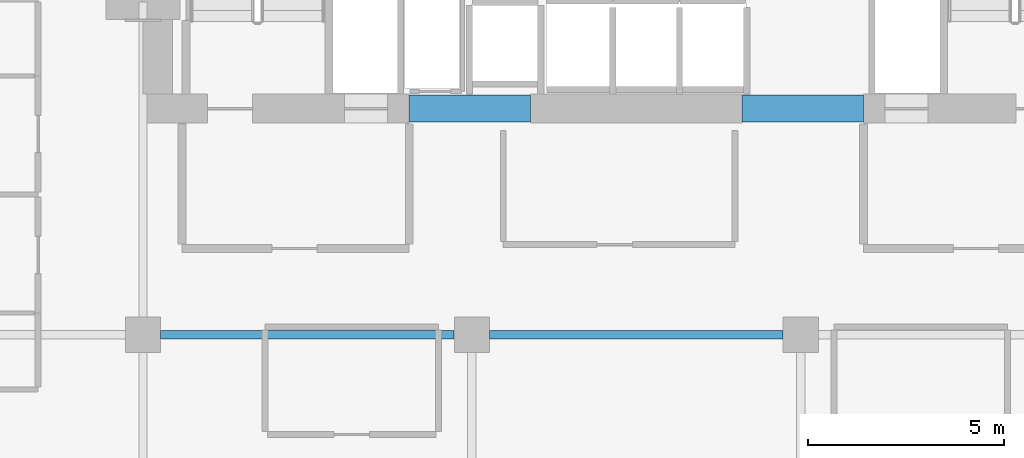
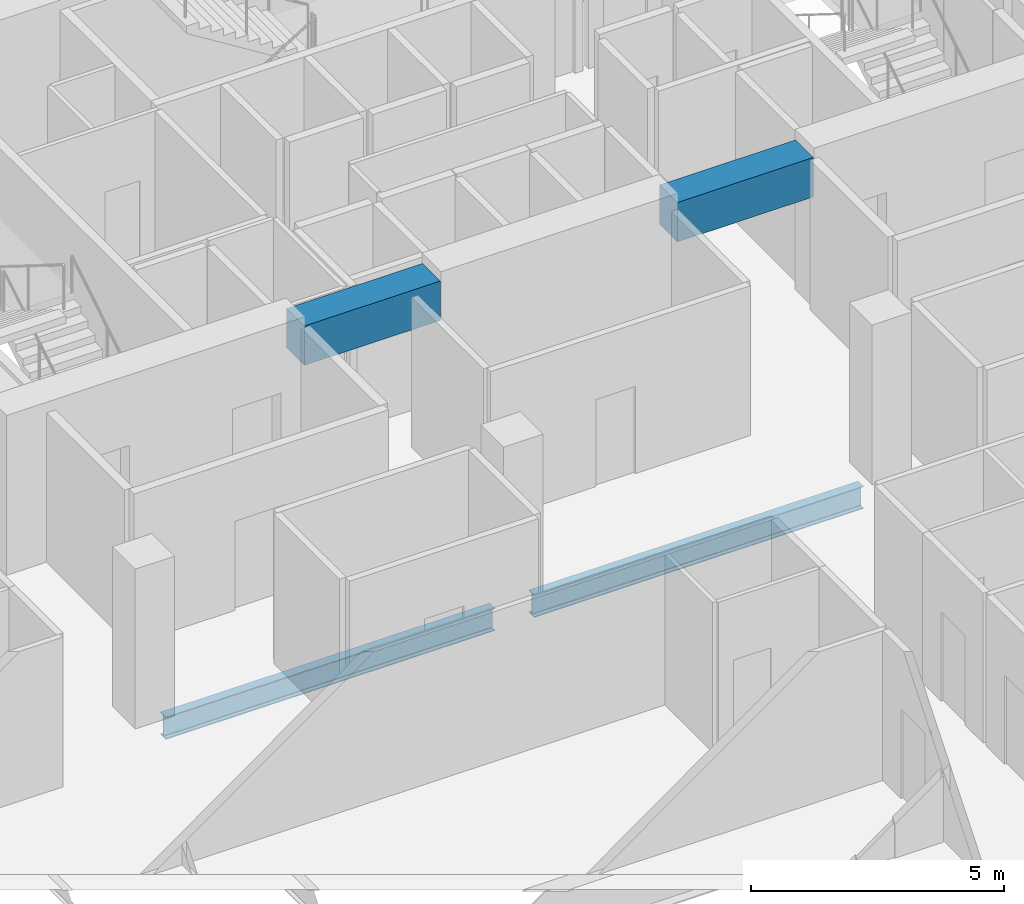
# One storey, part 21 of 34: 4 beams.
"""IFC4 building model written with IfcOpenShell, lengths in metres."""

from ifc_helpers import new_model, si_unit, direction, frame, origin, origin_2d, place, context, subcontext, project, spatial, rectangle, i_section, extrude, material, material_profile, profile_set, type_object, element, save


model = new_model("IFC4")

# Units and contexts
model_context = context("Model", 3, precision=1e-05, world=origin(), true_north=direction((0.0, 1.0)))
body_context = subcontext(model_context, "Body", "Model", "MODEL_VIEW")
ifc_project = project(units=[si_unit("LENGTHUNIT", "METRE"), si_unit("AREAUNIT", "SQUARE_METRE"), si_unit("VOLUMEUNIT", "CUBIC_METRE"), si_unit("PLANEANGLEUNIT", "RADIAN"), si_unit("MASSUNIT", "GRAM", prefix="KILO")], contexts=[model_context])

# Site, building, storey
site_placement = place(None, origin())
site = spatial("IfcSite", under=ifc_project, at=site_placement, CompositionType="ELEMENT")
building_placement = place(site_placement, origin())
building = spatial("IfcBuilding", under=site, at=building_placement, Name="Maruvema Waterfront Hotel and Observation Tower", CompositionType="ELEMENT")
storey_placement = place(building_placement, frame((0.0, 0.0, 208.25)))
storey = spatial("IfcBuildingStorey", under=building, at=storey_placement, Name="L51", CompositionType="ELEMENT", Elevation=208.25)

# Beams
ifc_material_1 = material(Name="Concrete C60/75", Category="concrete")
ifc_material_profile_1 = material_profile(ifc_material_1, rectangle(XDim=0.699951171875, YDim=0.949951171875, at=origin_2d()), Name="CB700x950")
ifc_profile_set_1 = profile_set([ifc_material_profile_1], Name="Concrete C60/75")
beam_type_1 = type_object("IfcBeamType", Name="Core Coupling Lintel Beam CB700x950", PredefinedType="LINTEL", material=ifc_profile_set_1)
for number, where, z_axis, x_axis, name in (
    (1, (32.0, 41.77490234375, 3.135009765625), (1.0, 0.0, 0.0), (0.0, 1.0, 0.0), "L51 Core Coupling Lintel Beam West"),
    (2, (40.5, 41.77490234375, 3.135009765625), (1.0, 0.0, 0.0), (0.0, 1.0, 0.0), "L51 Core Coupling Lintel Beam East"),
):
    element("IfcBeam", number, at=place(storey_placement, frame(where, z_axis=z_axis, x_axis=x_axis)), inside=storey, type_object=beam_type_1, Name=name, PredefinedType="LINTEL", context=body_context, shape_type="SweptSolid", body=[
        extrude(rectangle(XDim=0.699951171875, YDim=0.949951171875, at=origin_2d()), origin(), (0.0, 0.0, 1.0), 3.10009765625),
    ])
ifc_material_2 = material(Name="Steel ASTM A572 Grade 50", Category="steel")
ifc_material_profile_2 = material_profile(ifc_material_2, i_section(OverallWidth=0.2109375, OverallDepth=0.5390625, WebThickness=0.01171875, FlangeThickness=0.018798828125, FilletRadius=0.014892578125, at=origin_2d()), Name="W530x109.0")
ifc_profile_set_2 = profile_set([ifc_material_profile_2], Name="Steel ASTM A572 Grade 50")
beam_type_2 = type_object("IfcBeamType", Name="Primary Floor Girder W530x109.0", PredefinedType="BEAM", material=ifc_profile_set_2)
for number, where, z_axis, x_axis, name in (
    (3, (25.64990234375, 36.0, -0.509521484375), (1.0, 0.0, 0.0), (0.0, 1.0, 0.0), "L51 Floor Girder EW-25"),
    (4, (34.050048828125, 36.0, -0.509521484375), (1.0, 0.0, 0.0), (0.0, 1.0, 0.0), "L51 Floor Girder EW-26"),
):
    element("IfcBeam", number, at=place(storey_placement, frame(where, z_axis=z_axis, x_axis=x_axis)), inside=storey, type_object=beam_type_2, Name=name, PredefinedType="BEAM", context=body_context, shape_type="SweptSolid", body=[
        extrude(i_section(OverallWidth=0.2109375, OverallDepth=0.5390625, WebThickness=0.01171875, FlangeThickness=0.018798828125, FilletRadius=0.014892578125, at=origin_2d()), origin(), (0.0, 0.0, 1.0), 7.5),
    ])

save(model, "model.ifc")
